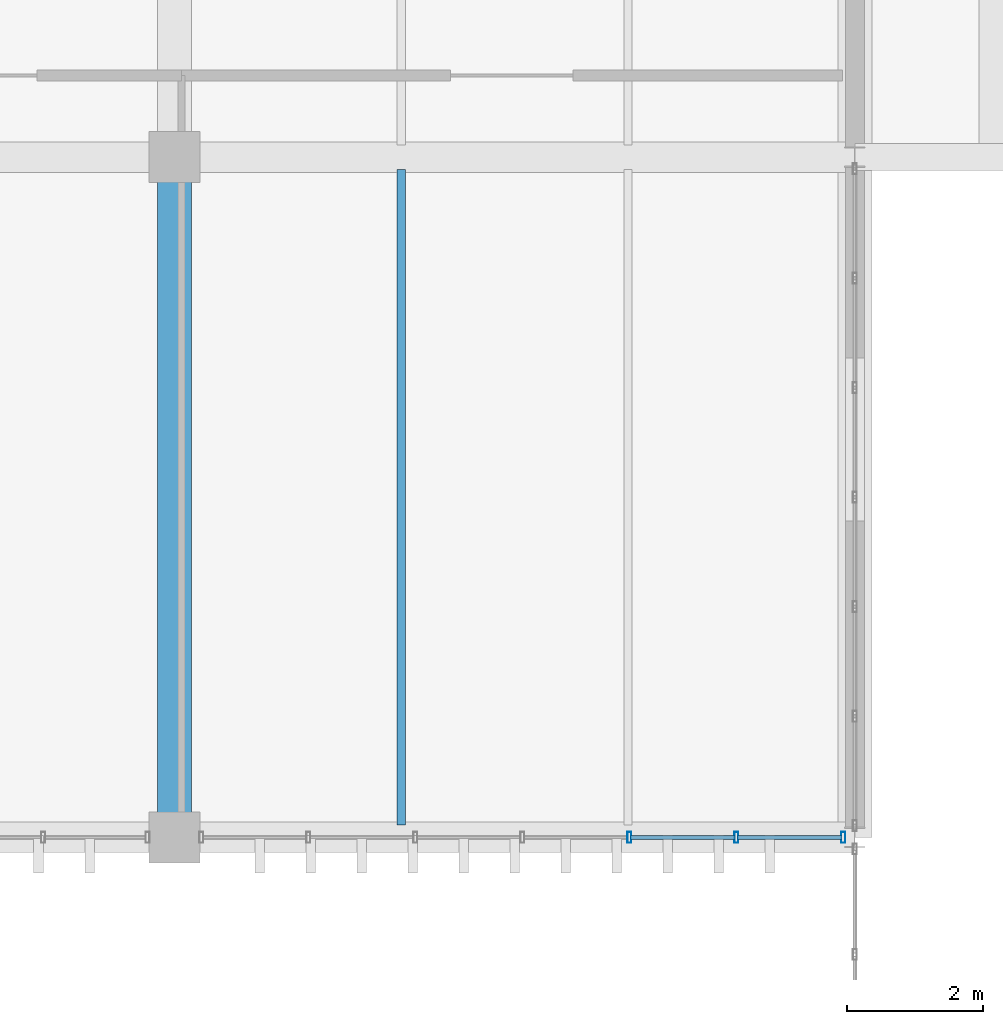
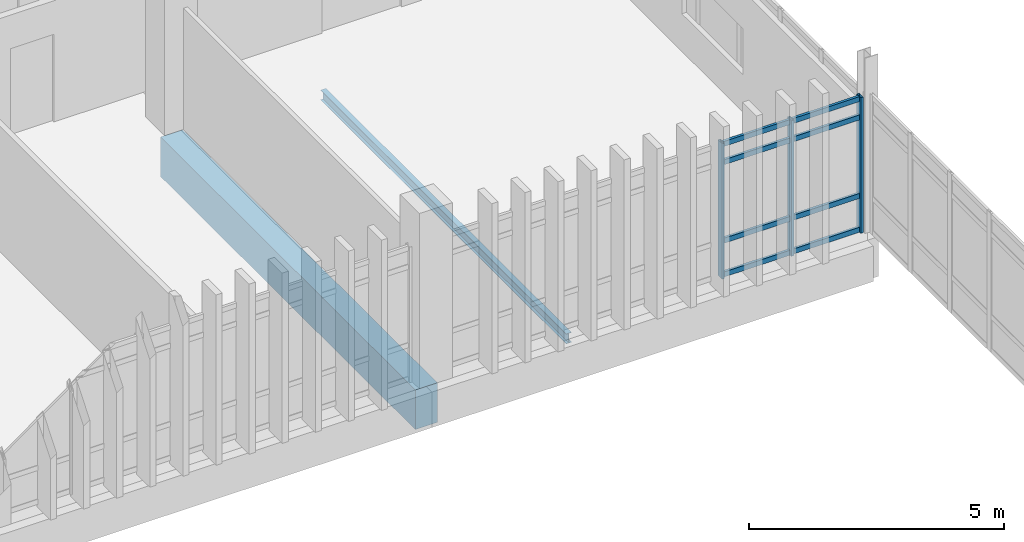
# One storey, part 47 of 111: 11 members, 2 beams, 1 element without a shape of its own.
"""IFC4 building model written with IfcOpenShell, lengths in metres."""

from ifc_helpers import new_model, si_unit, direction, frame, origin, origin_2d, place, context, subcontext, project, spatial, rectangle, hollow_rectangle, i_section, extrude, material, layer, layer_set, material_profile, profile_set, type_object, element, aggregate, save


model = new_model("IFC4")

# Units and contexts
model_context = context("Model", 3, precision=1e-05, world=origin(), true_north=direction((0.0, 1.0)))
body_context = subcontext(model_context, "Body", "Model", "MODEL_VIEW")
ifc_project = project(units=[si_unit("LENGTHUNIT", "METRE"), si_unit("AREAUNIT", "SQUARE_METRE"), si_unit("VOLUMEUNIT", "CUBIC_METRE"), si_unit("PLANEANGLEUNIT", "RADIAN"), si_unit("MASSUNIT", "GRAM", prefix="KILO")], contexts=[model_context])

# Site, building, storey
site_placement = place(None, origin())
site = spatial("IfcSite", under=ifc_project, at=site_placement, CompositionType="ELEMENT")
building_placement = place(site_placement, origin())
building = spatial("IfcBuilding", under=site, at=building_placement, Name="Mersad Railyard Sports Hall", CompositionType="ELEMENT")
storey_placement = place(building_placement, frame((0.0, 0.0, 9.0)))
storey = spatial("IfcBuildingStorey", under=building, at=storey_placement, Name="L02", CompositionType="ELEMENT", Elevation=9.0)

# Curtain wall, members
ifc_material_1 = material(Name="Aluminium 6063-T6", Category="aluminium")
ifc_layer = layer(ifc_material_1, 0.159912109375)
ifc_layer_set = layer_set([ifc_layer], Name="Aluminium 6063-T6")
curtain_wall_type = type_object("IfcCurtainWallType", Name="ARC-CW-CW56", PredefinedType="USERDEFINED", material=ifc_layer_set)
curtain_wall_placement = place(storey_placement, origin())
curtain_wall = element("IfcCurtainWall", 1, at=curtain_wall_placement, inside=storey, type_object=curtain_wall_type, Name="Curtain wall CW56-0150", ObjectType="CURTAIN WALL", PredefinedType="USERDEFINED")
ifc_material_profile_1 = material_profile(ifc_material_1, hollow_rectangle(XDim=0.06005859375, YDim=0.159912109375, WallThickness=0.00390625, at=origin_2d()), Name="AL MULLION 60x160x4")
ifc_profile_set_1 = profile_set([ifc_material_profile_1], Name="Aluminium 6063-T6")
member_type_1 = type_object("IfcMemberType", Name="ARC-CW-MUL01", PredefinedType="MULLION", material=ifc_profile_set_1)
member_1_placement = place(storey_placement, frame((130.830078125, 85.0, -0.02001953125), z_axis=(0.0, 0.0, 1.0), x_axis=(1.0, 0.0, 0.0)))
member_1 = element("IfcMember", 2, at=member_1_placement, type_object=member_type_1, Name="CW56 Mullion 1", PredefinedType="MULLION", context=body_context, shape_type="SweptSolid", body=[
    extrude(hollow_rectangle(XDim=0.06005859375, YDim=0.159912109375, WallThickness=0.00390625, at=origin_2d()), origin(), (0.0, 0.0, 1.0), 3.25),
])
member_2_placement = place(storey_placement, frame((129.257568359375, 85.0, -0.02001953125), z_axis=(0.0, 0.0, 1.0), x_axis=(1.0, 0.0, 0.0)))
member_2 = element("IfcMember", 3, at=member_2_placement, type_object=member_type_1, Name="CW56 Mullion 2", PredefinedType="MULLION", context=body_context, shape_type="SweptSolid", body=[
    extrude(hollow_rectangle(XDim=0.06005859375, YDim=0.159912109375, WallThickness=0.00390625, at=origin_2d()), origin(), (0.0, 0.0, 1.0), 3.25),
])
member_3_placement = place(storey_placement, frame((127.68505859375, 85.0, -0.02001953125), z_axis=(0.0, 0.0, 1.0), x_axis=(1.0, 0.0, 0.0)))
member_3 = element("IfcMember", 4, at=member_3_placement, type_object=member_type_1, Name="CW56 Mullion 3", PredefinedType="MULLION", context=body_context, shape_type="SweptSolid", body=[
    extrude(hollow_rectangle(XDim=0.06005859375, YDim=0.159912109375, WallThickness=0.00390625, at=origin_2d()), origin(), (0.0, 0.0, 1.0), 3.25),
])
ifc_material_profile_2 = material_profile(ifc_material_1, hollow_rectangle(XDim=0.06005859375, YDim=0.1201171875, WallThickness=0.00390625, at=origin_2d()), Name="AL TRANSOM 60x120x4")
ifc_profile_set_2 = profile_set([ifc_material_profile_2], Name="Aluminium 6063-T6")
member_type_2 = type_object("IfcMemberType", Name="ARC-CW-TRN01", PredefinedType="USERDEFINED", material=ifc_profile_set_2)
member_4_placement = place(storey_placement, frame((130.81005859375, 85.0, 0.0400390625), z_axis=(-1.0, 0.0, 0.0), x_axis=(0.0, -1.0, 0.0)))
member_4 = element("IfcMember", 5, at=member_4_placement, type_object=member_type_2, Name="CW56 Transom 1-1", ObjectType="TRANSOM", PredefinedType="USERDEFINED", context=body_context, shape_type="SweptSolid", body=[
    extrude(hollow_rectangle(XDim=0.06005859375, YDim=0.1201171875, WallThickness=0.00390625, at=origin_2d()), origin(), (0.0, 0.0, 1.0), 1.532470703125),
])
member_5_placement = place(storey_placement, frame((129.237548828125, 85.0, 0.0400390625), z_axis=(-1.0, 0.0, 0.0), x_axis=(0.0, -1.0, 0.0)))
member_5 = element("IfcMember", 6, at=member_5_placement, type_object=member_type_2, Name="CW56 Transom 1-2", ObjectType="TRANSOM", PredefinedType="USERDEFINED", context=body_context, shape_type="SweptSolid", body=[
    extrude(hollow_rectangle(XDim=0.06005859375, YDim=0.1201171875, WallThickness=0.00390625, at=origin_2d()), origin(), (0.0, 0.0, 1.0), 1.532470703125),
])
member_6_placement = place(storey_placement, frame((130.81005859375, 85.0, 0.85009765625), z_axis=(-1.0, 0.0, 0.0), x_axis=(0.0, -1.0, 0.0)))
member_6 = element("IfcMember", 7, at=member_6_placement, type_object=member_type_2, Name="CW56 Transom 2-1", ObjectType="TRANSOM", PredefinedType="USERDEFINED", context=body_context, shape_type="SweptSolid", body=[
    extrude(hollow_rectangle(XDim=0.06005859375, YDim=0.1201171875, WallThickness=0.00390625, at=origin_2d()), origin(), (0.0, 0.0, 1.0), 1.532470703125),
])
member_7_placement = place(storey_placement, frame((129.237548828125, 85.0, 0.85009765625), z_axis=(-1.0, 0.0, 0.0), x_axis=(0.0, -1.0, 0.0)))
member_7 = element("IfcMember", 8, at=member_7_placement, type_object=member_type_2, Name="CW56 Transom 2-2", ObjectType="TRANSOM", PredefinedType="USERDEFINED", context=body_context, shape_type="SweptSolid", body=[
    extrude(hollow_rectangle(XDim=0.06005859375, YDim=0.1201171875, WallThickness=0.00390625, at=origin_2d()), origin(), (0.0, 0.0, 1.0), 1.532470703125),
])
member_8_placement = place(storey_placement, frame((130.81005859375, 85.0, 2.72998046875), z_axis=(-1.0, 0.0, 0.0), x_axis=(0.0, -1.0, 0.0)))
member_8 = element("IfcMember", 9, at=member_8_placement, type_object=member_type_2, Name="CW56 Transom 3-1", ObjectType="TRANSOM", PredefinedType="USERDEFINED", context=body_context, shape_type="SweptSolid", body=[
    extrude(hollow_rectangle(XDim=0.06005859375, YDim=0.1201171875, WallThickness=0.00390625, at=origin_2d()), origin(), (0.0, 0.0, 1.0), 1.532470703125),
])
member_9_placement = place(storey_placement, frame((129.237548828125, 85.0, 2.72998046875), z_axis=(-1.0, 0.0, 0.0), x_axis=(0.0, -1.0, 0.0)))
member_9 = element("IfcMember", 10, at=member_9_placement, type_object=member_type_2, Name="CW56 Transom 3-2", ObjectType="TRANSOM", PredefinedType="USERDEFINED", context=body_context, shape_type="SweptSolid", body=[
    extrude(hollow_rectangle(XDim=0.06005859375, YDim=0.1201171875, WallThickness=0.00390625, at=origin_2d()), origin(), (0.0, 0.0, 1.0), 1.532470703125),
])
member_10_placement = place(storey_placement, frame((130.81005859375, 85.0, 3.169921875), z_axis=(-1.0, 0.0, 0.0), x_axis=(0.0, -1.0, 0.0)))
member_10 = element("IfcMember", 11, at=member_10_placement, type_object=member_type_2, Name="CW56 Transom 4-1", ObjectType="TRANSOM", PredefinedType="USERDEFINED", context=body_context, shape_type="SweptSolid", body=[
    extrude(hollow_rectangle(XDim=0.06005859375, YDim=0.1201171875, WallThickness=0.00390625, at=origin_2d()), origin(), (0.0, 0.0, 1.0), 1.532470703125),
])
member_11_placement = place(storey_placement, frame((129.237548828125, 85.0, 3.169921875), z_axis=(-1.0, 0.0, 0.0), x_axis=(0.0, -1.0, 0.0)))
member_11 = element("IfcMember", 12, at=member_11_placement, type_object=member_type_2, Name="CW56 Transom 4-2", ObjectType="TRANSOM", PredefinedType="USERDEFINED", context=body_context, shape_type="SweptSolid", body=[
    extrude(hollow_rectangle(XDim=0.06005859375, YDim=0.1201171875, WallThickness=0.00390625, at=origin_2d()), origin(), (0.0, 0.0, 1.0), 1.532470703125),
])
aggregate(curtain_wall, [member_1, member_2, member_3, member_4, member_5, member_6, member_7, member_8, member_9, member_10, member_11])

# Beams
ifc_material_2 = material(Name="Concrete C50/60", Category="concrete")
ifc_material_profile_3 = material_profile(ifc_material_2, rectangle(XDim=0.5, YDim=0.949951171875, at=origin_2d()), Name="RC 500x950")
ifc_profile_set_3 = profile_set([ifc_material_profile_3], Name="Concrete C50/60")
beam_type_1 = type_object("IfcBeamType", Name="STR-BM-B03", PredefinedType="BEAM", material=ifc_profile_set_3)
beam_1_placement = place(storey_placement, frame((121.0, 85.0, -0.77490234375), z_axis=(0.0, 1.0, 0.0), x_axis=(-1.0, 0.0, 0.0)))
element("IfcBeam", 13, at=beam_1_placement, inside=storey, type_object=beam_type_1, Name="Beam B03-1118", PredefinedType="BEAM", context=body_context, shape_type="SweptSolid", body=[
    extrude(rectangle(XDim=0.5, YDim=0.949951171875, at=origin_2d()), origin(), (0.0, 0.0, 1.0), 10.0),
])
ifc_material_3 = material(Name="Steel S355", Category="steel")
ifc_material_profile_4 = material_profile(ifc_material_3, i_section(OverallWidth=0.1201171875, OverallDepth=0.239990234375, WebThickness=0.006103515625, FlangeThickness=0.009765625, at=origin_2d()), Name="IPE 240")
ifc_profile_set_4 = profile_set([ifc_material_profile_4], Name="Steel S355")
beam_type_2 = type_object("IfcBeamType", Name="STR-BM-SB03", PredefinedType="BEAM", material=ifc_profile_set_4)
beam_2_placement = place(storey_placement, frame((124.3330078125, 85.179931640625, -0.419921875), z_axis=(0.0, 1.0, 0.0), x_axis=(-1.0, 0.0, 0.0)))
element("IfcBeam", 14, at=beam_2_placement, inside=storey, type_object=beam_type_2, Name="Beam SB03-1186", PredefinedType="BEAM", context=body_context, shape_type="SweptSolid", body=[
    extrude(i_section(OverallWidth=0.1201171875, OverallDepth=0.239990234375, WebThickness=0.006103515625, FlangeThickness=0.009765625, at=origin_2d()), origin(), (0.0, 0.0, 1.0), 9.64013671875),
])

save(model, "model.ifc")
